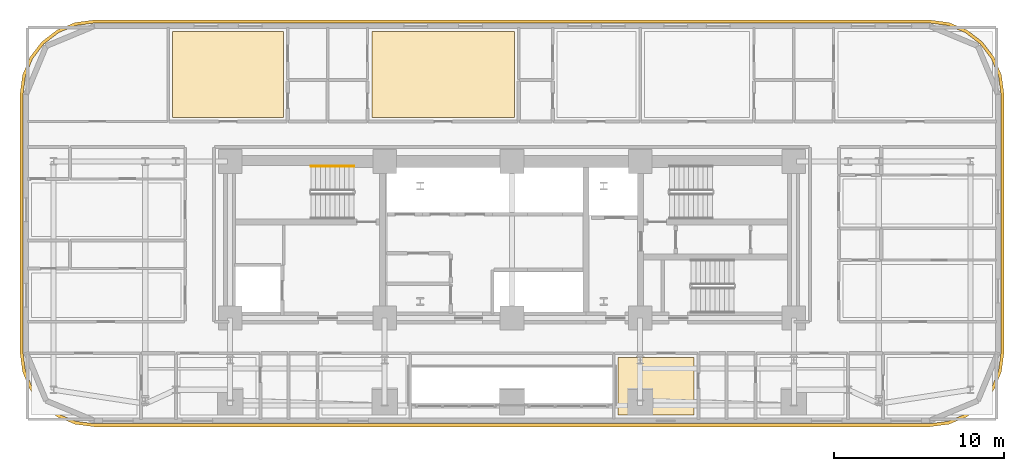
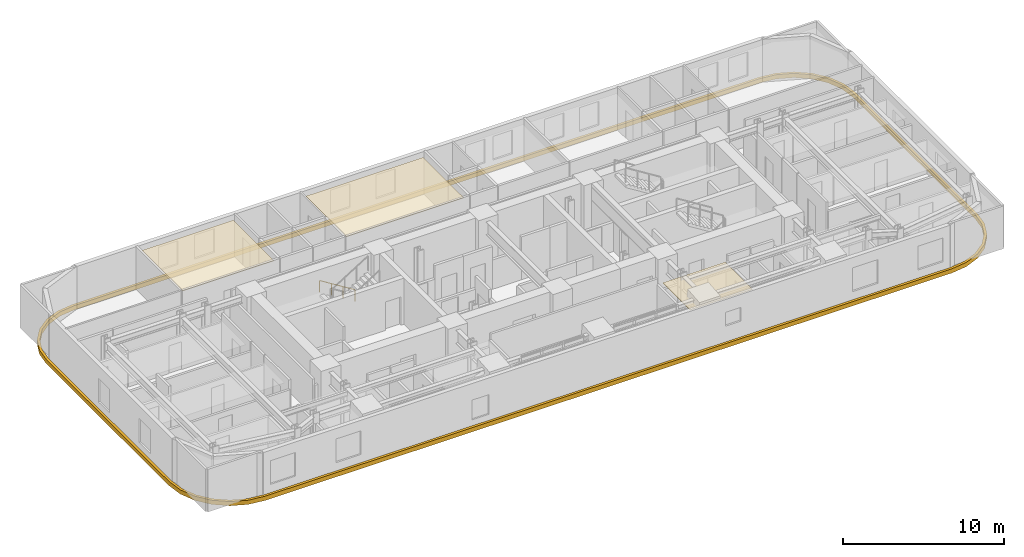
# One storey, part 14 of 15: 4 coverings, 1 railing.
"""IFC4 building model written with IfcOpenShell, lengths in metres."""

from ifc_helpers import new_model, si_unit, direction, frame, origin, origin_2d, place, context, subcontext, project, spatial, polyline, rectangle, outline, extrude, material, layer, layer_set, type_object, element, save


model = new_model("IFC4")

# Units and contexts
model_context = context("Model", 3, precision=1e-05, world=origin(), true_north=direction((0.0, 1.0)))
body_context = subcontext(model_context, "Body", "Model", "MODEL_VIEW")
ifc_project = project(units=[si_unit("LENGTHUNIT", "METRE"), si_unit("AREAUNIT", "SQUARE_METRE"), si_unit("VOLUMEUNIT", "CUBIC_METRE"), si_unit("PLANEANGLEUNIT", "RADIAN"), si_unit("MASSUNIT", "GRAM", prefix="KILO")], contexts=[model_context])

# Site, building, storey
site_placement = place(None, origin())
site = spatial("IfcSite", under=ifc_project, at=site_placement, CompositionType="ELEMENT")
building_placement = place(site_placement, origin())
building = spatial("IfcBuilding", under=site, at=building_placement, Name="Zarnavel Station Tower", CompositionType="ELEMENT")
storey_placement = place(building_placement, frame((0.0, 0.0, 36.0)))
storey = spatial("IfcBuildingStorey", under=building, at=storey_placement, Name="L09", CompositionType="ELEMENT", Elevation=36.0)

# Coverings
ifc_material_1 = material(Name="Perforated Gypsum and Mineral-Wool Acoustic Ceiling", Category="concrete")
ifc_layer = layer(ifc_material_1, 0.0400390625)
ifc_layer_set = layer_set([ifc_layer], Name="COV_CEIL_ACOUSTIC")
covering_type_1 = type_object("IfcCoveringType", Name="COV_CEIL_ACOUSTIC", PredefinedType="CEILING", material=ifc_layer_set)
covering_1_placement = place(storey_placement, frame((0.0, 0.0, 2.919921875)))
element("IfcCovering", 1, at=covering_1_placement, inside=storey, type_object=covering_type_1, Name="L09 HN1R Acoustic Ceiling", PredefinedType="CEILING", context=body_context, shape_type="SweptSolid", body=[
    extrude(outline(polyline([(8.81005859375, 39.64990234375), (15.341064453125, 39.64990234375), (15.341064453125, 44.68994140625), (8.81005859375, 44.68994140625), (8.81005859375, 39.64990234375)])), origin(), (0.0, 0.0, 1.0), 0.0400390625),
])
covering_2_placement = place(storey_placement, frame((0.0, 0.0, 2.919921875)))
element("IfcCovering", 2, at=covering_2_placement, inside=storey, type_object=covering_type_1, Name="L09 HN2R Acoustic Ceiling", PredefinedType="CEILING", context=body_context, shape_type="SweptSolid", body=[
    extrude(outline(polyline([(20.541015625, 39.64990234375), (28.947998046875, 39.64990234375), (28.947998046875, 44.68994140625), (20.541015625, 44.68994140625), (20.541015625, 39.64990234375)])), origin(), (0.0, 0.0, 1.0), 0.0400390625),
])
covering_3_placement = place(storey_placement, frame((0.0, 0.0, 2.919921875)))
element("IfcCovering", 3, at=covering_3_placement, inside=storey, type_object=covering_type_1, Name="L09 HE1R Acoustic Ceiling", PredefinedType="CEILING", context=body_context, shape_type="SweptSolid", body=[
    extrude(outline(polyline([(35.050048828125, 22.110107421875), (39.529052734375, 22.110107421875), (39.529052734375, 25.5), (35.050048828125, 25.5), (35.050048828125, 22.110107421875)])), origin(), (0.0, 0.0, 1.0), 0.0400390625),
])
ifc_material_2 = material(Name="Precast concrete C45/55 (Pale Travertine Slab Band)", Category="masonry")
covering_type_2 = type_object("IfcCoveringType", Name="COV_TRAVERTINE_BAND", PredefinedType="CLADDING", material=ifc_material_2)
covering_4_placement = place(storey_placement, frame((0.0, 0.0, -0.260009765625)))
element("IfcCovering", 4, at=covering_4_placement, inside=storey, type_object=covering_type_2, Name="L09 Pale Travertine Slab-Edge Band", PredefinedType="CLADDING", context=body_context, shape_type="SweptSolid", body=[
    extrude(outline(polyline([(53.39990234375, 21.419921875), (54.53369140625, 21.569091796875), (55.590087890625, 22.0068359375), (56.4970703125, 22.702880859375), (57.193115234375, 23.610107421875), (57.630859375, 24.66650390625), (57.780029296875, 25.800048828125), (57.780029296875, 41.0), (57.630859375, 42.133544921875), (57.193115234375, 43.18994140625), (56.4970703125, 44.09716796875), (55.590087890625, 44.793212890625), (54.53369140625, 45.230712890625), (53.39990234375, 45.3798828125), (4.199951171875, 45.3798828125), (3.06640625, 45.230712890625), (2.010009765625, 44.793212890625), (1.102783203125, 44.09716796875), (0.40673828125, 43.18994140625), (-0.03076171875, 42.133544921875), (-0.179931640625, 41.0), (-0.179931640625, 25.800048828125), (-0.03076171875, 24.66650390625), (0.40673828125, 23.610107421875), (1.102783203125, 22.702880859375), (2.010009765625, 22.0068359375), (3.06640625, 21.569091796875), (4.199951171875, 21.419921875), (53.39990234375, 21.419921875)]), holes=[polyline([(53.39990234375, 21.60009765625), (54.487060546875, 21.7431640625), (55.5, 22.16259765625), (56.369873046875, 22.830078125), (57.037353515625, 23.699951171875), (57.456787109375, 24.712890625), (57.60009765625, 25.800048828125), (57.60009765625, 41.0), (57.456787109375, 42.0869140625), (57.037353515625, 43.10009765625), (56.369873046875, 43.9697265625), (55.5, 44.63720703125), (54.487060546875, 45.056884765625), (53.39990234375, 45.199951171875), (4.199951171875, 45.199951171875), (3.113037109375, 45.056884765625), (2.10009765625, 44.63720703125), (1.230224609375, 43.9697265625), (0.562744140625, 43.10009765625), (0.14306640625, 42.0869140625), (0.0, 41.0), (0.0, 25.800048828125), (0.14306640625, 24.712890625), (0.562744140625, 23.699951171875), (1.230224609375, 22.830078125), (2.10009765625, 22.16259765625), (3.113037109375, 21.7431640625), (4.199951171875, 21.60009765625), (53.39990234375, 21.60009765625)])]), origin(), (0.0, 0.0, 1.0), 0.320068359375),
])

# Railing
ifc_material_3 = material(Name="Brushed Stainless Steel S355J2 Handrail", Category="steel")
railing_type = type_object("IfcRailingType", Name="HR_STAIR_900", PredefinedType="HANDRAIL", material=ifc_material_3)
railing_placement = place(storey_placement, frame((19.47998046875, 36.77001953125, 0.175048828125)))
element("IfcRailing", 5, at=railing_placement, inside=storey, type_object=railing_type, Name="L09 ST1 stair handrail 1", PredefinedType="HANDRAIL", context=body_context, shape_type="SweptSolid", body=[
    extrude(rectangle(XDim=0.048095703125, YDim=0.048095703125, at=origin_2d()), frame((-0.001708984375, 0.0, 0.876953125), z_axis=(-0.848007534815, 0.0, 0.529984170421), x_axis=(0.0, -1.0, 0.0)), (0.0, 0.0, 1.0), 2.9677734375),
    extrude(rectangle(XDim=0.0419921875, YDim=0.0419921875, at=origin_2d()), origin(), (0.0, 0.0, 1.0), 0.851806640625),
    extrude(rectangle(XDim=0.0419921875, YDim=0.0419921875, at=origin_2d()), frame((-0.840087890625, 0.0, 0.52490234375)), (0.0, 0.0, 1.0), 0.851806640625),
    extrude(rectangle(XDim=0.0419921875, YDim=0.0419921875, at=origin_2d()), frame((-1.679931640625, 0.0, 1.050048828125)), (0.0, 0.0, 1.0), 0.851806640625),
    extrude(rectangle(XDim=0.0419921875, YDim=0.0419921875, at=origin_2d()), frame((-2.52001953125, 0.0, 1.574951171875)), (0.0, 0.0, 1.0), 0.851806640625),
])

save(model, "model.ifc")
